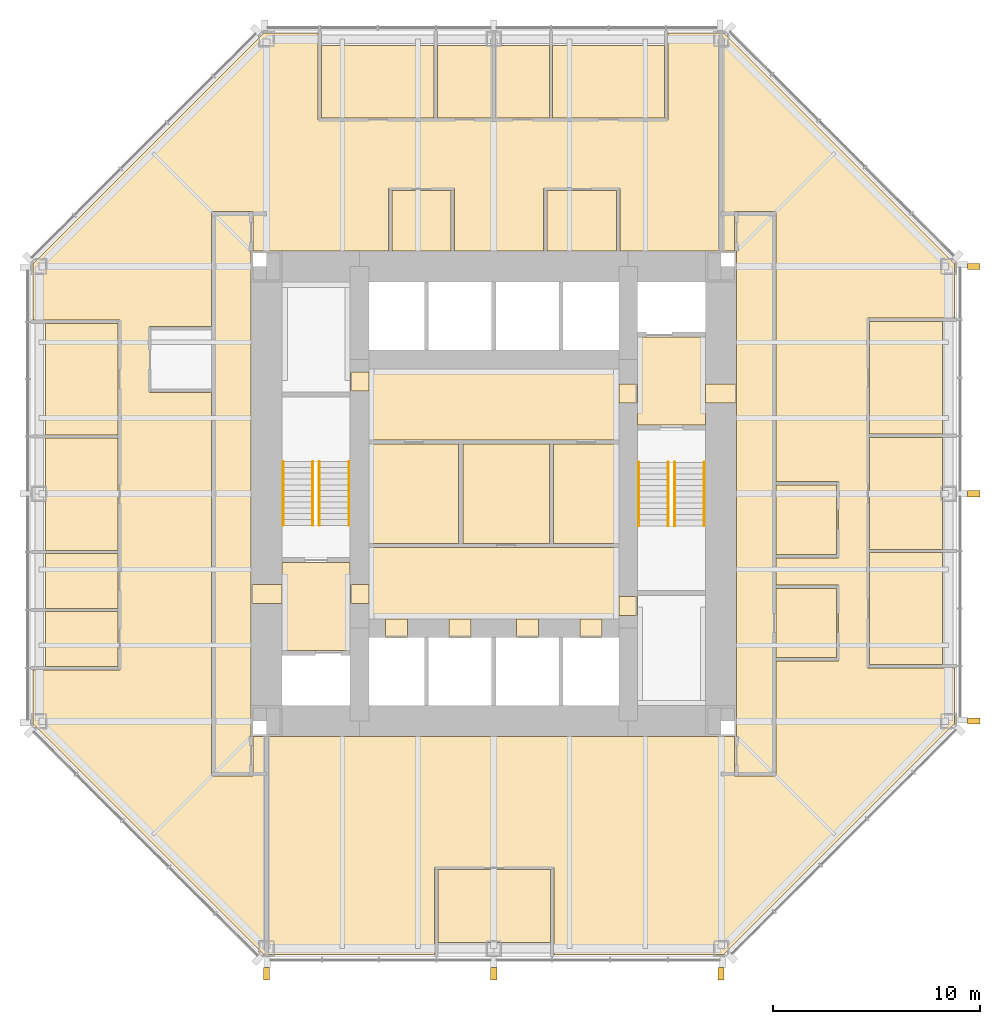
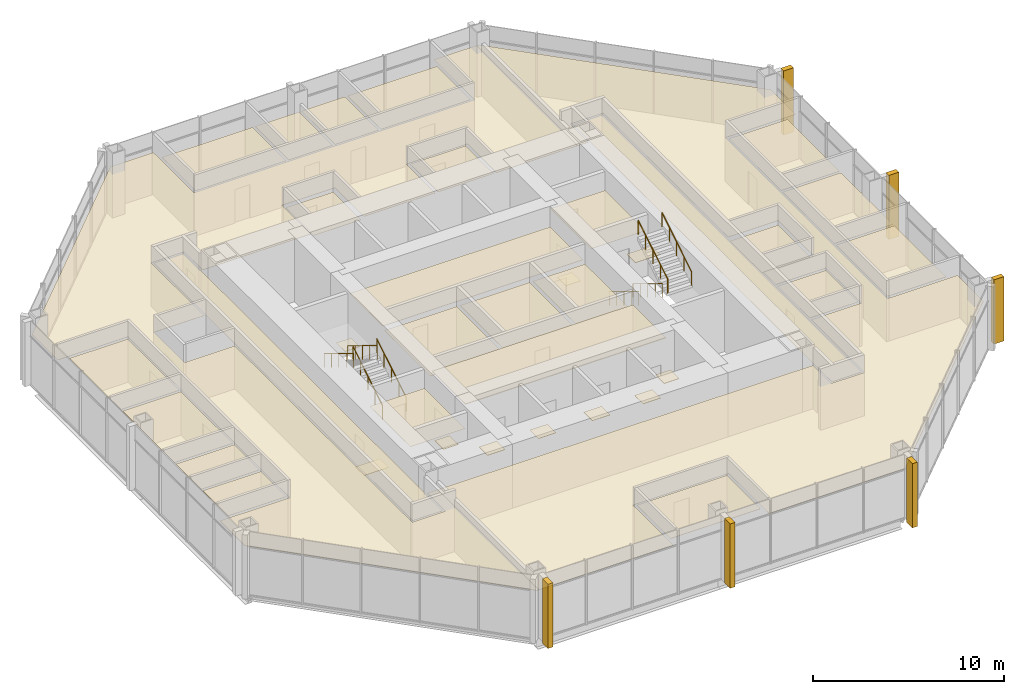
# One storey, part 12 of 12: 43 coverings, 8 railings.
"""IFC4 building model written with IfcOpenShell, lengths in metres."""

from ifc_helpers import new_model, si_unit, direction, frame, origin, origin_2d, place, context, subcontext, project, spatial, polyline, rectangle, circle, outline, extrude, material, layer, layer_set, type_object, element, save


model = new_model("IFC4")

# Units and contexts
model_context = context("Model", 3, precision=1e-05, world=origin(), true_north=direction((0.0, 1.0)))
body_context = subcontext(model_context, "Body", "Model", "MODEL_VIEW")
ifc_project = project(units=[si_unit("LENGTHUNIT", "METRE"), si_unit("AREAUNIT", "SQUARE_METRE"), si_unit("VOLUMEUNIT", "CUBIC_METRE"), si_unit("PLANEANGLEUNIT", "RADIAN"), si_unit("MASSUNIT", "GRAM", prefix="KILO")], contexts=[model_context])

# Site, building, storey
site_placement = place(None, origin())
site = spatial("IfcSite", under=ifc_project, at=site_placement, CompositionType="ELEMENT")
building_placement = place(site_placement, origin())
building = spatial("IfcBuilding", under=site, at=building_placement, Name="Trevanion Tower", CompositionType="ELEMENT")
storey_placement = place(building_placement, frame((0.0, 0.0, 133.60009765625)))
storey = spatial("IfcBuildingStorey", under=building, at=storey_placement, Name="L31", CompositionType="ELEMENT", Elevation=133.60009765625)

# Coverings
ifc_material_1 = material(Name="Fibrous plaster coffers on suspended steel grid", Category="steel")
ifc_layer_1 = layer(ifc_material_1, 0.050048828125)
ifc_layer_set_1 = layer_set([ifc_layer_1], Name="CL1 coffered fibrous plaster ceiling 50")
covering_type_1 = type_object("IfcCoveringType", Name="CL1 coffered fibrous plaster ceiling 50", PredefinedType="CEILING", material=ifc_layer_set_1)
covering_1_placement = place(storey_placement, frame((0.0, 0.0, 3.0)))
element("IfcCovering", 1, at=covering_1_placement, inside=storey, type_object=covering_type_1, Name="CL1 L31-LBS", PredefinedType="CEILING", context=body_context, shape_type="SweptSolid", body=[
    extrude(outline(polyline([(6.050048828125, -6.050048828125), (6.050048828125, -2.60009765625), (-6.050048828125, -2.60009765625), (-6.050048828125, -6.050048828125), (6.050048828125, -6.050048828125)])), origin(), (0.0, 0.0, 1.0), 0.0498046875),
])
ifc_material_2 = material(Name="Mineral fibre acoustic tiles in exposed grid", Category="mineral fibre")
ifc_layer_2 = layer(ifc_material_2, 0.02001953125)
ifc_layer_set_2 = layer_set([ifc_layer_2], Name="CL2 acoustic tile ceiling 20")
covering_type_2 = type_object("IfcCoveringType", Name="CL2 acoustic tile ceiling 20", PredefinedType="CEILING", material=ifc_layer_set_2)
covering_2_placement = place(storey_placement, frame((0.0, 0.0, 2.75)))
element("IfcCovering", 2, at=covering_2_placement, inside=storey, type_object=covering_type_2, Name="CL2 L31-LBN", PredefinedType="CEILING", context=body_context, shape_type="SweptSolid", body=[
    extrude(outline(polyline([(6.050048828125, 2.60009765625), (6.050048828125, 6.050048828125), (-6.050048828125, 6.050048828125), (-6.050048828125, 2.60009765625), (6.050048828125, 2.60009765625)])), origin(), (0.0, 0.0, 1.0), 0.02001953125),
])
covering_3_placement = place(storey_placement, frame((0.0, 0.0, 2.75)))
element("IfcCovering", 3, at=covering_3_placement, inside=storey, type_object=covering_type_2, Name="CL2 L31-CO1", PredefinedType="CEILING", context=body_context, shape_type="SweptSolid", body=[
    extrude(outline(polyline([(-11.75, 13.550048828125), (-11.75, -13.550048828125), (-13.550048828125, -13.550048828125), (-13.550048828125, 13.550048828125), (-11.75, 13.550048828125)])), origin(), (0.0, 0.0, 1.0), 0.02001953125),
])
covering_4_placement = place(storey_placement, frame((0.0, 0.0, 2.75)))
element("IfcCovering", 4, at=covering_4_placement, inside=storey, type_object=covering_type_2, Name="CL2 L31-CO2", PredefinedType="CEILING", context=body_context, shape_type="SweptSolid", body=[
    extrude(outline(polyline([(11.75, 13.550048828125), (13.550048828125, 13.550048828125), (13.550048828125, -13.550048828125), (11.75, -13.550048828125), (11.75, 13.550048828125)])), origin(), (0.0, 0.0, 1.0), 0.02001953125),
])
covering_5_placement = place(storey_placement, frame((0.0, 0.0, 2.75)))
element("IfcCovering", 5, at=covering_5_placement, inside=storey, type_object=covering_type_2, Name="CL2 L31-MR", PredefinedType="CEILING", context=body_context, shape_type="SweptSolid", body=[
    extrude(outline(polyline([(18.175048828125, -8.248046875), (18.175048828125, -2.85009765625), (21.699951171875, -2.85009765625), (21.699951171875, -8.248046875), (18.175048828125, -8.248046875)])), origin(), (0.0, 0.0, 1.0), 0.02001953125),
])
covering_6_placement = place(storey_placement, frame((0.0, 0.0, 2.75)))
element("IfcCovering", 6, at=covering_6_placement, inside=storey, type_object=covering_type_2, Name="CL2 L31-MR2", PredefinedType="CEILING", context=body_context, shape_type="SweptSolid", body=[
    extrude(outline(polyline([(18.175048828125, -2.699951171875), (18.175048828125, 2.73193359375), (21.699951171875, 2.73193359375), (21.699951171875, -2.699951171875), (18.175048828125, -2.699951171875)])), origin(), (0.0, 0.0, 1.0), 0.02001953125),
])
covering_7_placement = place(storey_placement, frame((0.0, 0.0, 2.75)))
element("IfcCovering", 7, at=covering_7_placement, inside=storey, type_object=covering_type_2, Name="CL2 L31-MR3", PredefinedType="CEILING", context=body_context, shape_type="SweptSolid", body=[
    extrude(outline(polyline([(18.175048828125, 2.882080078125), (18.175048828125, 8.345947265625), (21.699951171875, 8.345947265625), (21.699951171875, 2.882080078125), (18.175048828125, 2.882080078125)])), origin(), (0.0, 0.0, 1.0), 0.02001953125),
])
covering_8_placement = place(storey_placement, frame((0.0, 0.0, 2.75)))
element("IfcCovering", 8, at=covering_8_placement, inside=storey, type_object=covering_type_2, Name="CL2 L31-MR4", PredefinedType="CEILING", context=body_context, shape_type="SweptSolid", body=[
    extrude(outline(polyline([(8.248046875, 18.175048828125), (2.85009765625, 18.175048828125), (2.85009765625, 21.699951171875), (8.248046875, 21.699951171875), (8.248046875, 18.175048828125)])), origin(), (0.0, 0.0, 1.0), 0.02001953125),
])
covering_9_placement = place(storey_placement, frame((0.0, 0.0, 2.75)))
element("IfcCovering", 9, at=covering_9_placement, inside=storey, type_object=covering_type_2, Name="CL2 L31-OF", PredefinedType="CEILING", context=body_context, shape_type="SweptSolid", body=[
    extrude(outline(polyline([(2.699951171875, 18.175048828125), (0.074951171875, 18.175048828125), (0.074951171875, 21.699951171875), (2.699951171875, 21.699951171875), (2.699951171875, 18.175048828125)])), origin(), (0.0, 0.0, 1.0), 0.02001953125),
])
covering_10_placement = place(storey_placement, frame((0.0, 0.0, 2.75)))
element("IfcCovering", 10, at=covering_10_placement, inside=storey, type_object=covering_type_2, Name="CL2 L31-OF2", PredefinedType="CEILING", context=body_context, shape_type="SweptSolid", body=[
    extrude(outline(polyline([(-0.074951171875, 18.175048828125), (-2.73193359375, 18.175048828125), (-2.73193359375, 21.699951171875), (-0.074951171875, 21.699951171875), (-0.074951171875, 18.175048828125)])), origin(), (0.0, 0.0, 1.0), 0.02001953125),
])
covering_11_placement = place(storey_placement, frame((0.0, 0.0, 2.75)))
element("IfcCovering", 11, at=covering_11_placement, inside=storey, type_object=covering_type_2, Name="CL2 L31-MR5", PredefinedType="CEILING", context=body_context, shape_type="SweptSolid", body=[
    extrude(outline(polyline([(-2.882080078125, 18.175048828125), (-8.345947265625, 18.175048828125), (-8.345947265625, 21.699951171875), (-2.882080078125, 21.699951171875), (-2.882080078125, 18.175048828125)])), origin(), (0.0, 0.0, 1.0), 0.02001953125),
])
covering_12_placement = place(storey_placement, frame((0.0, 0.0, 2.75)))
element("IfcCovering", 12, at=covering_12_placement, inside=storey, type_object=covering_type_2, Name="CL2 L31-MR6", PredefinedType="CEILING", context=body_context, shape_type="SweptSolid", body=[
    extrude(outline(polyline([(-18.175048828125, 8.248046875), (-18.175048828125, 2.85009765625), (-21.699951171875, 2.85009765625), (-21.699951171875, 8.248046875), (-18.175048828125, 8.248046875)])), origin(), (0.0, 0.0, 1.0), 0.02001953125),
])
covering_13_placement = place(storey_placement, frame((0.0, 0.0, 2.75)))
element("IfcCovering", 13, at=covering_13_placement, inside=storey, type_object=covering_type_2, Name="CL2 L31-MR7", PredefinedType="CEILING", context=body_context, shape_type="SweptSolid", body=[
    extrude(outline(polyline([(-18.175048828125, 2.699951171875), (-18.175048828125, -2.73193359375), (-21.699951171875, -2.73193359375), (-21.699951171875, 2.699951171875), (-18.175048828125, 2.699951171875)])), origin(), (0.0, 0.0, 1.0), 0.02001953125),
])
covering_14_placement = place(storey_placement, frame((0.0, 0.0, 2.75)))
element("IfcCovering", 14, at=covering_14_placement, inside=storey, type_object=covering_type_2, Name="CL2 L31-OF3", PredefinedType="CEILING", context=body_context, shape_type="SweptSolid", body=[
    extrude(outline(polyline([(-18.175048828125, -2.882080078125), (-18.175048828125, -5.5390625), (-21.699951171875, -5.5390625), (-21.699951171875, -2.882080078125), (-18.175048828125, -2.882080078125)])), origin(), (0.0, 0.0, 1.0), 0.02001953125),
])
covering_15_placement = place(storey_placement, frame((0.0, 0.0, 2.75)))
element("IfcCovering", 15, at=covering_15_placement, inside=storey, type_object=covering_type_2, Name="CL2 L31-OF4", PredefinedType="CEILING", context=body_context, shape_type="SweptSolid", body=[
    extrude(outline(polyline([(-18.175048828125, -5.68896484375), (-18.175048828125, -8.345947265625), (-21.699951171875, -8.345947265625), (-21.699951171875, -5.68896484375), (-18.175048828125, -5.68896484375)])), origin(), (0.0, 0.0, 1.0), 0.02001953125),
])
covering_16_placement = place(storey_placement, frame((0.0, 0.0, 2.75)))
element("IfcCovering", 16, at=covering_16_placement, inside=storey, type_object=covering_type_2, Name="CL2 L31-MR8", PredefinedType="CEILING", context=body_context, shape_type="SweptSolid", body=[
    extrude(outline(polyline([(-2.699951171875, -18.175048828125), (2.73193359375, -18.175048828125), (2.73193359375, -21.699951171875), (-2.699951171875, -21.699951171875), (-2.699951171875, -18.175048828125)])), origin(), (0.0, 0.0, 1.0), 0.02001953125),
])
covering_17_placement = place(storey_placement, frame((0.0, 0.0, 2.75)))
element("IfcCovering", 17, at=covering_17_placement, inside=storey, type_object=covering_type_2, Name="CL2 L31-RC", PredefinedType="CEILING", context=body_context, shape_type="SweptSolid", body=[
    extrude(outline(polyline([(13.64990234375, -7.925048828125), (13.64990234375, -4.574951171875), (16.574951171875, -4.574951171875), (16.574951171875, -7.925048828125), (13.64990234375, -7.925048828125)])), origin(), (0.0, 0.0, 1.0), 0.02001953125),
])
covering_18_placement = place(storey_placement, frame((0.0, 0.0, 2.75)))
element("IfcCovering", 18, at=covering_18_placement, inside=storey, type_object=covering_type_2, Name="CL2 L31-RC2", PredefinedType="CEILING", context=body_context, shape_type="SweptSolid", body=[
    extrude(outline(polyline([(2.574951171875, 14.675048828125), (5.925048828125, 14.675048828125), (5.925048828125, 11.75), (2.574951171875, 11.75), (2.574951171875, 14.675048828125)])), origin(), (0.0, 0.0, 1.0), 0.02001953125),
])
covering_19_placement = place(storey_placement, frame((0.0, 0.0, 2.75)))
element("IfcCovering", 19, at=covering_19_placement, inside=storey, type_object=covering_type_2, Name="CL2 L31-OP", PredefinedType="CEILING", context=body_context, shape_type="SweptSolid", body=[
    extrude(outline(polyline([(11.64990234375, -13.64990234375), (13.64990234375, -13.64990234375), (13.64990234375, -8.094970703125), (16.669921875, -8.094970703125), (16.669921875, -4.405029296875), (13.64990234375, -4.405029296875), (13.64990234375, -3.094970703125), (16.669921875, -3.094970703125), (16.669921875, 0.594970703125), (13.64990234375, 0.594970703125), (13.64990234375, 13.64990234375), (11.64990234375, 13.64990234375), (11.64990234375, 11.75), (11.0, 11.75), (11.0, 22.300048828125), (11.124267578125, 22.300048828125), (22.300048828125, 11.124267578125), (22.300048828125, 8.51611328125), (18.080078125, 8.51611328125), (18.080078125, -8.41796875), (22.300048828125, -8.41796875), (22.300048828125, -11.124267578125), (11.124267578125, -22.300048828125), (2.902099609375, -22.300048828125), (2.902099609375, -18.080078125), (-2.8701171875, -18.080078125), (-2.8701171875, -22.300048828125), (-11.0, -22.300048828125), (-11.0, -11.75), (11.64990234375, -11.75), (11.64990234375, -13.64990234375)])), origin(), (0.0, 0.0, 1.0), 0.02001953125),
])
covering_20_placement = place(storey_placement, frame((0.0, 0.0, 2.75)))
element("IfcCovering", 20, at=covering_20_placement, inside=storey, type_object=covering_type_2, Name="CL2 L31-OP2", PredefinedType="CEILING", context=body_context, shape_type="SweptSolid", body=[
    extrude(outline(polyline([(-11.64990234375, -13.64990234375), (-11.64990234375, -11.75), (-11.0, -11.75), (-11.0, -22.300048828125), (-11.124267578125, -22.300048828125), (-22.300048828125, -11.124267578125), (-22.300048828125, -8.51611328125), (-18.080078125, -8.51611328125), (-18.080078125, 8.41796875), (-22.300048828125, 8.41796875), (-22.300048828125, 11.124267578125), (-11.124267578125, 22.300048828125), (-8.51611328125, 22.300048828125), (-8.51611328125, 18.080078125), (8.41796875, 18.080078125), (8.41796875, 22.300048828125), (11.0, 22.300048828125), (11.0, 11.75), (6.094970703125, 11.75), (6.094970703125, 14.77001953125), (2.405029296875, 14.77001953125), (2.405029296875, 11.75), (-1.905029296875, 11.75), (-1.905029296875, 14.77001953125), (-5.094970703125, 14.77001953125), (-5.094970703125, 11.75), (-11.64990234375, 11.75), (-11.64990234375, 13.64990234375), (-13.64990234375, 13.64990234375), (-13.64990234375, 8.094970703125), (-16.669921875, 8.094970703125), (-16.669921875, 4.905029296875), (-13.64990234375, 4.905029296875), (-13.64990234375, -13.64990234375), (-11.64990234375, -13.64990234375)])), origin(), (0.0, 0.0, 1.0), 0.02001953125),
])
ifc_material_3 = material(Name="Gypsum plasterboard on suspended metal furring", Category="gypsum")
ifc_layer_3 = layer(ifc_material_3, 0.012939453125)
ifc_layer_set_3 = layer_set([ifc_layer_3], Name="CL3 plasterboard ceiling 13")
covering_type_3 = type_object("IfcCoveringType", Name="CL3 plasterboard ceiling 13", PredefinedType="CEILING", material=ifc_layer_set_3)
covering_21_placement = place(storey_placement, frame((0.0, 0.0, 2.699951171875)))
element("IfcCovering", 21, at=covering_21_placement, inside=storey, type_object=covering_type_3, Name="CL3 L31-FV1", PredefinedType="CEILING", context=body_context, shape_type="SweptSolid", body=[
    extrude(outline(polyline([(10.25, 3.324951171875), (10.25, 7.574951171875), (6.949951171875, 7.574951171875), (6.949951171875, 3.324951171875), (10.25, 3.324951171875)])), origin(), (0.0, 0.0, 1.0), 0.012939453125),
])
covering_22_placement = place(storey_placement, frame((0.0, 0.0, 2.699951171875)))
element("IfcCovering", 22, at=covering_22_placement, inside=storey, type_object=covering_type_3, Name="CL3 L31-FV2", PredefinedType="CEILING", context=body_context, shape_type="SweptSolid", body=[
    extrude(outline(polyline([(-10.25, -3.324951171875), (-10.25, -7.574951171875), (-6.949951171875, -7.574951171875), (-6.949951171875, -3.324951171875), (-10.25, -3.324951171875)])), origin(), (0.0, 0.0, 1.0), 0.012939453125),
])
ifc_material_4 = material(Name="Moisture-resistant gypsum board on suspended metal furring", Category="gypsum")
ifc_layer_4 = layer(ifc_material_4, 0.01611328125)
ifc_layer_set_4 = layer_set([ifc_layer_4], Name="CL4 moisture-resistant board ceiling 16")
covering_type_4 = type_object("IfcCoveringType", Name="CL4 moisture-resistant board ceiling 16", PredefinedType="CEILING", material=ifc_layer_set_4)
covering_23_placement = place(storey_placement, frame((0.0, 0.0, 2.599853515625)))
element("IfcCovering", 23, at=covering_23_placement, inside=storey, type_object=covering_type_4, Name="CL4 L31-WCF", PredefinedType="CEILING", context=body_context, shape_type="SweptSolid", body=[
    extrude(outline(polyline([(-1.699951171875, -2.39990234375), (-1.699951171875, 2.39990234375), (-6.050048828125, 2.39990234375), (-6.050048828125, -2.39990234375), (-1.699951171875, -2.39990234375)])), origin(), (0.0, 0.0, 1.0), 0.01611328125),
])
covering_24_placement = place(storey_placement, frame((0.0, 0.0, 2.599853515625)))
element("IfcCovering", 24, at=covering_24_placement, inside=storey, type_object=covering_type_4, Name="CL4 L31-WCM", PredefinedType="CEILING", context=body_context, shape_type="SweptSolid", body=[
    extrude(outline(polyline([(2.699951171875, -2.39990234375), (2.699951171875, 2.39990234375), (-1.5, 2.39990234375), (-1.5, -2.39990234375), (2.699951171875, -2.39990234375)])), origin(), (0.0, 0.0, 1.0), 0.01611328125),
])
covering_25_placement = place(storey_placement, frame((0.0, 0.0, 2.599853515625)))
element("IfcCovering", 25, at=covering_25_placement, inside=storey, type_object=covering_type_4, Name="CL4 L31-WCA", PredefinedType="CEILING", context=body_context, shape_type="SweptSolid", body=[
    extrude(outline(polyline([(6.050048828125, -2.39990234375), (6.050048828125, 2.39990234375), (2.89990234375, 2.39990234375), (2.89990234375, -2.39990234375), (6.050048828125, -2.39990234375)])), origin(), (0.0, 0.0, 1.0), 0.01611328125),
])
covering_26_placement = place(storey_placement, frame((0.0, 0.0, 2.599853515625)))
element("IfcCovering", 26, at=covering_26_placement, inside=storey, type_object=covering_type_4, Name="CL4 L31-PA", PredefinedType="CEILING", context=body_context, shape_type="SweptSolid", body=[
    extrude(outline(polyline([(13.64990234375, -2.925048828125), (13.64990234375, 0.425048828125), (16.574951171875, 0.425048828125), (16.574951171875, -2.925048828125), (13.64990234375, -2.925048828125)])), origin(), (0.0, 0.0, 1.0), 0.01611328125),
])
covering_27_placement = place(storey_placement, frame((0.0, 0.0, 2.599853515625)))
element("IfcCovering", 27, at=covering_27_placement, inside=storey, type_object=covering_type_4, Name="CL4 L31-PA2", PredefinedType="CEILING", context=body_context, shape_type="SweptSolid", body=[
    extrude(outline(polyline([(-4.925048828125, 14.675048828125), (-2.074951171875, 14.675048828125), (-2.074951171875, 11.75), (-4.925048828125, 11.75), (-4.925048828125, 14.675048828125)])), origin(), (0.0, 0.0, 1.0), 0.01611328125),
])
ifc_material_5 = material(Name="Cast bronze fin on aluminium carrier", Category="aluminium")
covering_type_5 = type_object("IfcCoveringType", Name="F1 bronze fin", PredefinedType="CLADDING", material=ifc_material_5)
for number, where, z_axis, x_axis, name in (
    (28, (23.22509765625, -11.0, -0.190185546875), (0.0, 0.0, 1.0), (0.0, 1.0, 0.0), "F1 L31 east -11.0"),
    (29, (23.22509765625, 0.0, -0.190185546875), (0.0, 0.0, 1.0), (0.0, 1.0, 0.0), "F1 L31 east +0.0"),
    (30, (23.22509765625, 11.0, -0.190185546875), (0.0, 0.0, 1.0), (0.0, 1.0, 0.0), "F1 L31 east +11.0"),
    (31, (-11.0, -23.22509765625, -0.190185546875), (0.0, 0.0, 1.0), (1.0, 0.0, 0.0), "F1 L31 south -11.0"),
    (32, (0.0, -23.22509765625, -0.190185546875), (0.0, 0.0, 1.0), (1.0, 0.0, 0.0), "F1 L31 south +0.0"),
    (33, (11.0, -23.22509765625, -0.190185546875), (0.0, 0.0, 1.0), (1.0, 0.0, 0.0), "F1 L31 south +11.0"),
):
    element("IfcCovering", number, at=place(storey_placement, frame(where, z_axis=z_axis, x_axis=x_axis)), inside=storey, type_object=covering_type_5, Name=name, PredefinedType="CLADDING", context=body_context, shape_type="SweptSolid", body=[
        extrude(rectangle(XDim=0.300048828125, YDim=0.60009765625, at=origin_2d()), origin(), (0.0, 0.0, 1.0), 4.10009765625),
    ])
ifc_material_6 = material(Name="Terrazzo, brass divider strips", Category="stone")
ifc_layer_5 = layer(ifc_material_6, 0.02001953125)
ifc_layer_set_5 = layer_set([ifc_layer_5], Name="FF1 terrazzo flooring")
covering_type_6 = type_object("IfcCoveringType", Name="FF1 terrazzo flooring", PredefinedType="FLOORING", material=ifc_layer_set_5)
covering_28_placement = place(storey_placement, origin())
element("IfcCovering", 34, at=covering_28_placement, inside=storey, type_object=covering_type_6, Name="FF1 threshold 31-001", PredefinedType="FLOORING", context=body_context, shape_type="SweptSolid", body=[
    extrude(outline(polyline([(11.75, 4.392578125), (11.75, 5.3076171875), (10.25, 5.3076171875), (10.25, 4.392578125), (11.75, 4.392578125)])), origin(), (0.0, 0.0, 1.0), 0.02001953125),
])
covering_29_placement = place(storey_placement, origin())
element("IfcCovering", 35, at=covering_29_placement, inside=storey, type_object=covering_type_6, Name="FF1 threshold 31-002", PredefinedType="FLOORING", context=body_context, shape_type="SweptSolid", body=[
    extrude(outline(polyline([(-11.75, -4.392578125), (-11.75, -5.3076171875), (-10.25, -5.3076171875), (-10.25, -4.392578125), (-11.75, -4.392578125)])), origin(), (0.0, 0.0, 1.0), 0.02001953125),
])
covering_30_placement = place(storey_placement, origin())
element("IfcCovering", 36, at=covering_30_placement, inside=storey, type_object=covering_type_6, Name="FF1 threshold 31-003", PredefinedType="FLOORING", context=body_context, shape_type="SweptSolid", body=[
    extrude(outline(polyline([(6.949951171875, 4.392578125), (6.949951171875, 5.3076171875), (6.050048828125, 5.3076171875), (6.050048828125, 4.392578125), (6.949951171875, 4.392578125)])), origin(), (0.0, 0.0, 1.0), 0.02001953125),
])
covering_31_placement = place(storey_placement, origin())
element("IfcCovering", 37, at=covering_31_placement, inside=storey, type_object=covering_type_6, Name="FF1 threshold 31-004", PredefinedType="FLOORING", context=body_context, shape_type="SweptSolid", body=[
    extrude(outline(polyline([(-6.949951171875, -4.392578125), (-6.949951171875, -5.3076171875), (-6.050048828125, -5.3076171875), (-6.050048828125, -4.392578125), (-6.949951171875, -4.392578125)])), origin(), (0.0, 0.0, 1.0), 0.02001953125),
])
covering_32_placement = place(storey_placement, origin())
element("IfcCovering", 38, at=covering_32_placement, inside=storey, type_object=covering_type_6, Name="FF1 threshold 31-009", PredefinedType="FLOORING", context=body_context, shape_type="SweptSolid", body=[
    extrude(outline(polyline([(6.949951171875, -5.889892578125), (6.949951171875, -4.97509765625), (6.050048828125, -4.97509765625), (6.050048828125, -5.889892578125), (6.949951171875, -5.889892578125)])), origin(), (0.0, 0.0, 1.0), 0.02001953125),
])
covering_33_placement = place(storey_placement, origin())
element("IfcCovering", 39, at=covering_33_placement, inside=storey, type_object=covering_type_6, Name="FF1 threshold 31-010", PredefinedType="FLOORING", context=body_context, shape_type="SweptSolid", body=[
    extrude(outline(polyline([(-6.949951171875, 5.889892578125), (-6.949951171875, 4.97509765625), (-6.050048828125, 4.97509765625), (-6.050048828125, 5.889892578125), (-6.949951171875, 5.889892578125)])), origin(), (0.0, 0.0, 1.0), 0.02001953125),
])
covering_34_placement = place(storey_placement, origin())
element("IfcCovering", 40, at=covering_34_placement, inside=storey, type_object=covering_type_6, Name="FF1 threshold 31-011", PredefinedType="FLOORING", context=body_context, shape_type="SweptSolid", body=[
    extrude(outline(polyline([(-5.2333984375, -6.949951171875), (-4.16650390625, -6.949951171875), (-4.16650390625, -6.050048828125), (-5.2333984375, -6.050048828125), (-5.2333984375, -6.949951171875)])), origin(), (0.0, 0.0, 1.0), 0.02001953125),
])
covering_35_placement = place(storey_placement, origin())
element("IfcCovering", 41, at=covering_35_placement, inside=storey, type_object=covering_type_6, Name="FF1 threshold 31-012", PredefinedType="FLOORING", context=body_context, shape_type="SweptSolid", body=[
    extrude(outline(polyline([(-2.158447265625, -6.949951171875), (-1.091552734375, -6.949951171875), (-1.091552734375, -6.050048828125), (-2.158447265625, -6.050048828125), (-2.158447265625, -6.949951171875)])), origin(), (0.0, 0.0, 1.0), 0.02001953125),
])
covering_36_placement = place(storey_placement, origin())
element("IfcCovering", 42, at=covering_36_placement, inside=storey, type_object=covering_type_6, Name="FF1 threshold 31-013", PredefinedType="FLOORING", context=body_context, shape_type="SweptSolid", body=[
    extrude(outline(polyline([(1.091552734375, -6.949951171875), (2.158447265625, -6.949951171875), (2.158447265625, -6.050048828125), (1.091552734375, -6.050048828125), (1.091552734375, -6.949951171875)])), origin(), (0.0, 0.0, 1.0), 0.02001953125),
])
covering_37_placement = place(storey_placement, origin())
element("IfcCovering", 43, at=covering_37_placement, inside=storey, type_object=covering_type_6, Name="FF1 threshold 31-014", PredefinedType="FLOORING", context=body_context, shape_type="SweptSolid", body=[
    extrude(outline(polyline([(4.16650390625, -6.949951171875), (5.2333984375, -6.949951171875), (5.2333984375, -6.050048828125), (4.16650390625, -6.050048828125), (4.16650390625, -6.949951171875)])), origin(), (0.0, 0.0, 1.0), 0.02001953125),
])

# Railings
ifc_material_7 = material(Name="Stainless steel tube 40 mm", Category="steel")
railing_type = type_object("IfcRailingType", Name="HR1 handrail", PredefinedType="HANDRAIL", material=ifc_material_7)
for number, where, name in (
    (44, (7.010009765625, 1.52490234375, 0.170654296875), "HR1 ST1 L31 flight 1"),
    (45, (8.43994140625, 1.52490234375, 0.170654296875), "HR1 ST1 L31 flight 1"),
):
    element("IfcRailing", number, at=place(storey_placement, frame(where)), inside=storey, type_object=railing_type, Name=name, PredefinedType="HANDRAIL", context=body_context, shape_type="SweptSolid", body=[
        extrude(circle(Radius=0.02001953125, at=origin_2d()), frame((0.0, 0.0, 0.8798828125), z_axis=(0.0, -0.853647949592, 0.520850437417), x_axis=(1.0, 0.0, 0.0)), (0.0, 0.0, 1.0), 3.60791015625),
        extrude(circle(Radius=0.01513671875, at=origin_2d()), origin(), (0.0, 0.0, 1.0), 0.85986328125),
        extrude(circle(Radius=0.01513671875, at=origin_2d()), frame((0.0, -0.77001953125, 0.4697265625)), (0.0, 0.0, 1.0), 0.85986328125),
        extrude(circle(Radius=0.01513671875, at=origin_2d()), frame((0.0, -1.5400390625, 0.939453125)), (0.0, 0.0, 1.0), 0.85986328125),
        extrude(circle(Radius=0.01513671875, at=origin_2d()), frame((0.0, -2.309814453125, 1.409423828125)), (0.0, 0.0, 1.0), 0.85986328125),
        extrude(circle(Radius=0.01513671875, at=origin_2d()), frame((0.0, -3.079833984375, 1.879150390625)), (0.0, 0.0, 1.0), 0.85986328125),
    ])
for number, where, name in (
    (46, (8.760009765625, -1.554931640625, 2.220703125), "HR1 ST1 L31 flight 2"),
    (47, (10.18994140625, -1.554931640625, 2.220703125), "HR1 ST1 L31 flight 2"),
    (48, (-7.010009765625, -1.52490234375, 0.170654296875), "HR1 ST2 L31 flight 1"),
    (49, (-8.43994140625, -1.52490234375, 0.170654296875), "HR1 ST2 L31 flight 1"),
):
    element("IfcRailing", number, at=place(storey_placement, frame(where)), inside=storey, type_object=railing_type, Name=name, PredefinedType="HANDRAIL", context=body_context, shape_type="SweptSolid", body=[
        extrude(circle(Radius=0.02001953125, at=origin_2d()), frame((0.0, 0.0, 0.8798828125), z_axis=(0.0, 0.853647949592, 0.520850437417), x_axis=(-1.0, 0.0, 0.0)), (0.0, 0.0, 1.0), 3.60791015625),
        extrude(circle(Radius=0.01513671875, at=origin_2d()), origin(), (0.0, 0.0, 1.0), 0.85986328125),
        extrude(circle(Radius=0.01513671875, at=origin_2d()), frame((0.0, 0.77001953125, 0.4697265625)), (0.0, 0.0, 1.0), 0.85986328125),
        extrude(circle(Radius=0.01513671875, at=origin_2d()), frame((0.0, 1.5400390625, 0.939453125)), (0.0, 0.0, 1.0), 0.85986328125),
        extrude(circle(Radius=0.01513671875, at=origin_2d()), frame((0.0, 2.309814453125, 1.409423828125)), (0.0, 0.0, 1.0), 0.85986328125),
        extrude(circle(Radius=0.01513671875, at=origin_2d()), frame((0.0, 3.079833984375, 1.879150390625)), (0.0, 0.0, 1.0), 0.85986328125),
    ])
for number, where, name in (
    (50, (-8.760009765625, 1.554931640625, 2.220703125), "HR1 ST2 L31 flight 2"),
    (51, (-10.18994140625, 1.554931640625, 2.220703125), "HR1 ST2 L31 flight 2"),
):
    element("IfcRailing", number, at=place(storey_placement, frame(where)), inside=storey, type_object=railing_type, Name=name, PredefinedType="HANDRAIL", context=body_context, shape_type="SweptSolid", body=[
        extrude(circle(Radius=0.02001953125, at=origin_2d()), frame((0.0, 0.0, 0.8798828125), z_axis=(0.0, -0.853647949592, 0.520850437417), x_axis=(1.0, 0.0, 0.0)), (0.0, 0.0, 1.0), 3.60791015625),
        extrude(circle(Radius=0.01513671875, at=origin_2d()), origin(), (0.0, 0.0, 1.0), 0.85986328125),
        extrude(circle(Radius=0.01513671875, at=origin_2d()), frame((0.0, -0.77001953125, 0.4697265625)), (0.0, 0.0, 1.0), 0.85986328125),
        extrude(circle(Radius=0.01513671875, at=origin_2d()), frame((0.0, -1.5400390625, 0.939453125)), (0.0, 0.0, 1.0), 0.85986328125),
        extrude(circle(Radius=0.01513671875, at=origin_2d()), frame((0.0, -2.309814453125, 1.409423828125)), (0.0, 0.0, 1.0), 0.85986328125),
        extrude(circle(Radius=0.01513671875, at=origin_2d()), frame((0.0, -3.079833984375, 1.879150390625)), (0.0, 0.0, 1.0), 0.85986328125),
    ])

save(model, "model.ifc")
